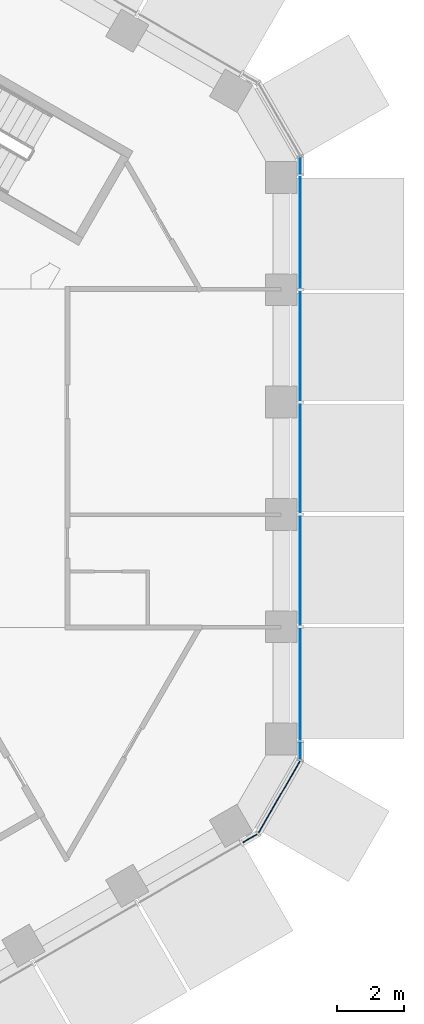
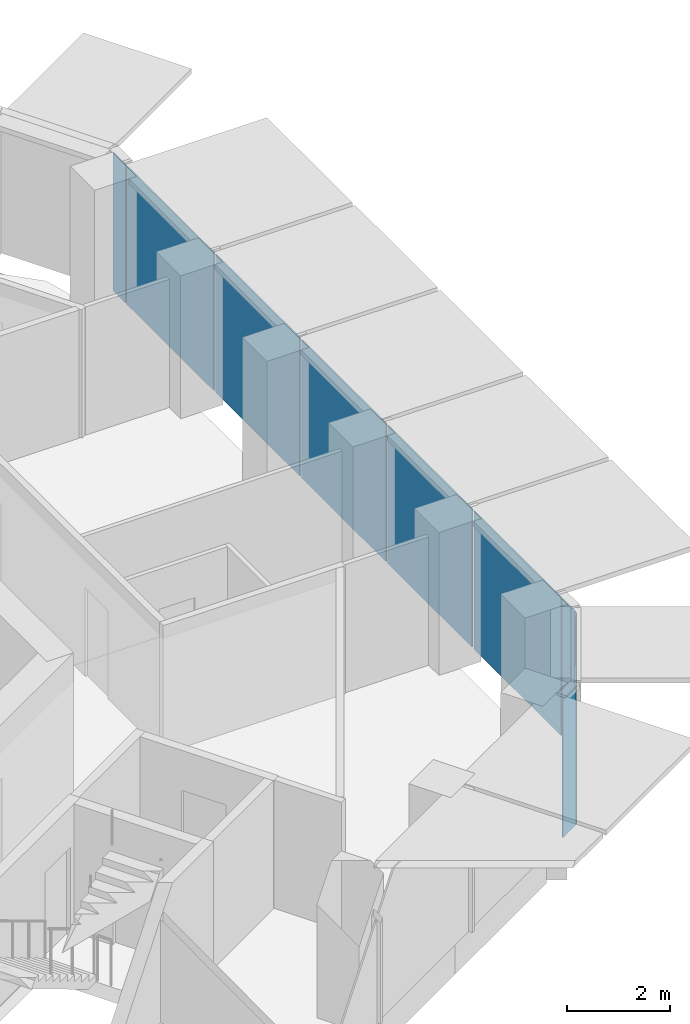
# One storey, part 11 of 18: 9 plates, 3 elements without a shape of their own.
"""IFC4 building model written with IfcOpenShell, lengths in metres."""

from ifc_helpers import new_model, si_unit, direction, frame, origin, origin_2d, place, context, subcontext, project, spatial, rectangle, extrude, material, layer, layer_set, type_object, element, aggregate, save


model = new_model("IFC4")

# Units and contexts
model_context = context("Model", 3, precision=1e-05, world=origin(), true_north=direction((0.0, 1.0)))
body_context = subcontext(model_context, "Body", "Model", "MODEL_VIEW")
ifc_project = project(units=[si_unit("LENGTHUNIT", "METRE"), si_unit("AREAUNIT", "SQUARE_METRE"), si_unit("VOLUMEUNIT", "CUBIC_METRE"), si_unit("PLANEANGLEUNIT", "RADIAN"), si_unit("MASSUNIT", "GRAM", prefix="KILO")], contexts=[model_context])

# Site, building, storey
site_placement = place(None, origin())
site = spatial("IfcSite", under=ifc_project, at=site_placement, CompositionType="ELEMENT")
building_placement = place(site_placement, origin())
building = spatial("IfcBuilding", under=site, at=building_placement, Name="Ayvan Gate Tower", CompositionType="ELEMENT")
storey_placement = place(building_placement, frame((0.0, 0.0, 169.699951171875)))
storey = spatial("IfcBuildingStorey", under=building, at=storey_placement, Name="L45", CompositionType="ELEMENT", Elevation=169.699951171875)

# Curtain wall, plates
ifc_material_1 = material(Name="Bronze anodised aluminium", Category="aluminium")
ifc_layer_1 = layer(ifc_material_1, 0.199951171875)
ifc_layer_set_1 = layer_set([ifc_layer_1], Name="Bronze anodised aluminium")
curtain_wall_type_1 = type_object("IfcCurtainWallType", Name="Stick curtain wall CW-2", PredefinedType="NOTDEFINED", material=ifc_layer_set_1)
curtain_wall_1_placement = place(storey_placement, origin())
curtain_wall_1 = element("IfcCurtainWall", 1, at=curtain_wall_1_placement, inside=storey, type_object=curtain_wall_type_1, Name="Stick curtain wall CW-2 L45", PredefinedType="NOTDEFINED")
ifc_material_2 = material(Name="Clear low-iron laminated glass", Category="glass")
ifc_layer_2 = layer(ifc_material_2, 0.028076171875)
ifc_layer_set_2 = layer_set([ifc_layer_2], Name="Clear low-iron laminated glass")
plate_type_1 = type_object("IfcPlateType", Name="Stick curtain wall CW-2 glass panel", PredefinedType="CURTAIN_PANEL", material=ifc_layer_set_2)
plate_1_placement = place(storey_placement, frame((18.761474609375, -6.76806640625, 0.0), z_axis=(0.0, 0.0, 1.0), x_axis=(0.0, 1.0, 0.0)))
plate_1 = element("IfcPlate", 2, at=plate_1_placement, type_object=plate_type_1, Name="CW-2 glass panel 1", PredefinedType="CURTAIN_PANEL", context=body_context, shape_type="SweptSolid", body=[
    extrude(rectangle(XDim=3.39599609375, YDim=0.028076171875, at=origin_2d()), origin(), (0.0, 0.0, 1.0), 3.280029296875),
])
plate_2_placement = place(storey_placement, frame((18.761474609375, -3.3564453125, 0.0), z_axis=(0.0, 0.0, 1.0), x_axis=(0.0, 1.0, 0.0)))
plate_2 = element("IfcPlate", 3, at=plate_2_placement, type_object=plate_type_1, Name="CW-2 glass panel 2", PredefinedType="CURTAIN_PANEL", context=body_context, shape_type="SweptSolid", body=[
    extrude(rectangle(XDim=3.287109375, YDim=0.028076171875, at=origin_2d()), origin(), (0.0, 0.0, 1.0), 3.280029296875),
])
plate_3_placement = place(storey_placement, frame((18.761474609375, 0.0, 0.0), z_axis=(0.0, 0.0, 1.0), x_axis=(0.0, 1.0, 0.0)))
plate_3 = element("IfcPlate", 4, at=plate_3_placement, type_object=plate_type_1, Name="CW-2 glass panel 3", PredefinedType="CURTAIN_PANEL", context=body_context, shape_type="SweptSolid", body=[
    extrude(rectangle(XDim=3.285888671875, YDim=0.028076171875, at=origin_2d()), origin(), (0.0, 0.0, 1.0), 3.280029296875),
])
plate_4_placement = place(storey_placement, frame((18.761474609375, 3.3564453125, 0.0), z_axis=(0.0, 0.0, 1.0), x_axis=(0.0, 1.0, 0.0)))
plate_4 = element("IfcPlate", 5, at=plate_4_placement, type_object=plate_type_1, Name="CW-2 glass panel 4", PredefinedType="CURTAIN_PANEL", context=body_context, shape_type="SweptSolid", body=[
    extrude(rectangle(XDim=3.287109375, YDim=0.028076171875, at=origin_2d()), origin(), (0.0, 0.0, 1.0), 3.280029296875),
])
plate_5_placement = place(storey_placement, frame((18.761474609375, 6.76806640625, 0.0), z_axis=(0.0, 0.0, 1.0), x_axis=(0.0, 1.0, 0.0)))
plate_5 = element("IfcPlate", 6, at=plate_5_placement, type_object=plate_type_1, Name="CW-2 glass panel 5", PredefinedType="CURTAIN_PANEL", context=body_context, shape_type="SweptSolid", body=[
    extrude(rectangle(XDim=3.39599609375, YDim=0.028076171875, at=origin_2d()), origin(), (0.0, 0.0, 1.0), 3.280029296875),
])
aggregate(curtain_wall_1, [plate_1, plate_2, plate_3, plate_4, plate_5])

ifc_layer_3 = layer(ifc_material_1, 0.199951171875)
ifc_layer_set_3 = layer_set([ifc_layer_3], Name="Bronze anodised aluminium")
curtain_wall_type_2 = type_object("IfcCurtainWallType", Name="Stick curtain wall CW-6", PredefinedType="NOTDEFINED", material=ifc_layer_set_3)
curtain_wall_2_placement = place(storey_placement, origin())
curtain_wall_2 = element("IfcCurtainWall", 7, at=curtain_wall_2_placement, inside=storey, type_object=curtain_wall_type_2, Name="Stick curtain wall CW-6 L45", PredefinedType="NOTDEFINED")
ifc_layer_4 = layer(ifc_material_2, 0.028076171875)
ifc_layer_set_4 = layer_set([ifc_layer_4], Name="Clear low-iron laminated glass")
plate_type_2 = type_object("IfcPlateType", Name="Stick curtain wall CW-6 glass panel", PredefinedType="CURTAIN_PANEL", material=ifc_layer_set_4)
plate_6_placement = place(storey_placement, frame((17.256103515625, -11.3583984375, 0.0), z_axis=(0.0, 0.0, 1.0), x_axis=(0.866025403784, 0.5, 0.0)))
plate_6 = element("IfcPlate", 8, at=plate_6_placement, type_object=plate_type_2, Name="CW-6 glass panel 1", PredefinedType="CURTAIN_PANEL", context=body_context, shape_type="SweptSolid", body=[
    extrude(rectangle(XDim=0.5, YDim=0.028076171875, at=origin_2d()), origin(), (0.0, 0.0, 1.0), 3.280029296875),
])
plate_7_placement = place(storey_placement, frame((18.1279296875, -10.12353515625, 0.0), z_axis=(0.0, 0.0, 1.0), x_axis=(0.5, 0.866025403784, 0.0)))
plate_7 = element("IfcPlate", 9, at=plate_7_placement, type_object=plate_type_2, Name="CW-6 glass panel 2", PredefinedType="CURTAIN_PANEL", context=body_context, shape_type="SweptSolid", body=[
    extrude(rectangle(XDim=2.484619140625, YDim=0.028076171875, at=origin_2d()), origin(), (0.0, 0.0, 1.0), 3.280029296875),
])
plate_8_placement = place(storey_placement, frame((18.761474609375, -8.7509765625, 0.0), z_axis=(0.0, 0.0, 1.0), x_axis=(0.0, 1.0, 0.0)))
plate_8 = element("IfcPlate", 10, at=plate_8_placement, type_object=plate_type_2, Name="CW-6 glass panel 3", PredefinedType="CURTAIN_PANEL", context=body_context, shape_type="SweptSolid", body=[
    extrude(rectangle(XDim=0.5, YDim=0.028076171875, at=origin_2d()), origin(), (0.0, 0.0, 1.0), 3.280029296875),
])
aggregate(curtain_wall_2, [plate_6, plate_7, plate_8])

# Curtain wall, plate
curtain_wall_3_placement = place(storey_placement, origin())
curtain_wall_3 = element("IfcCurtainWall", 11, at=curtain_wall_3_placement, inside=storey, type_object=curtain_wall_type_2, Name="Stick curtain wall CW-6 L45", PredefinedType="NOTDEFINED")
plate_9_placement = place(storey_placement, frame((18.761474609375, 8.7509765625, 0.0), z_axis=(0.0, 0.0, 1.0), x_axis=(0.0, 1.0, 0.0)))
plate_9 = element("IfcPlate", 12, at=plate_9_placement, type_object=plate_type_2, Name="CW-6 glass panel 1", PredefinedType="CURTAIN_PANEL", context=body_context, shape_type="SweptSolid", body=[
    extrude(rectangle(XDim=0.5, YDim=0.028076171875, at=origin_2d()), origin(), (0.0, 0.0, 1.0), 3.280029296875),
])
aggregate(curtain_wall_3, [plate_9])

save(model, "model.ifc")
